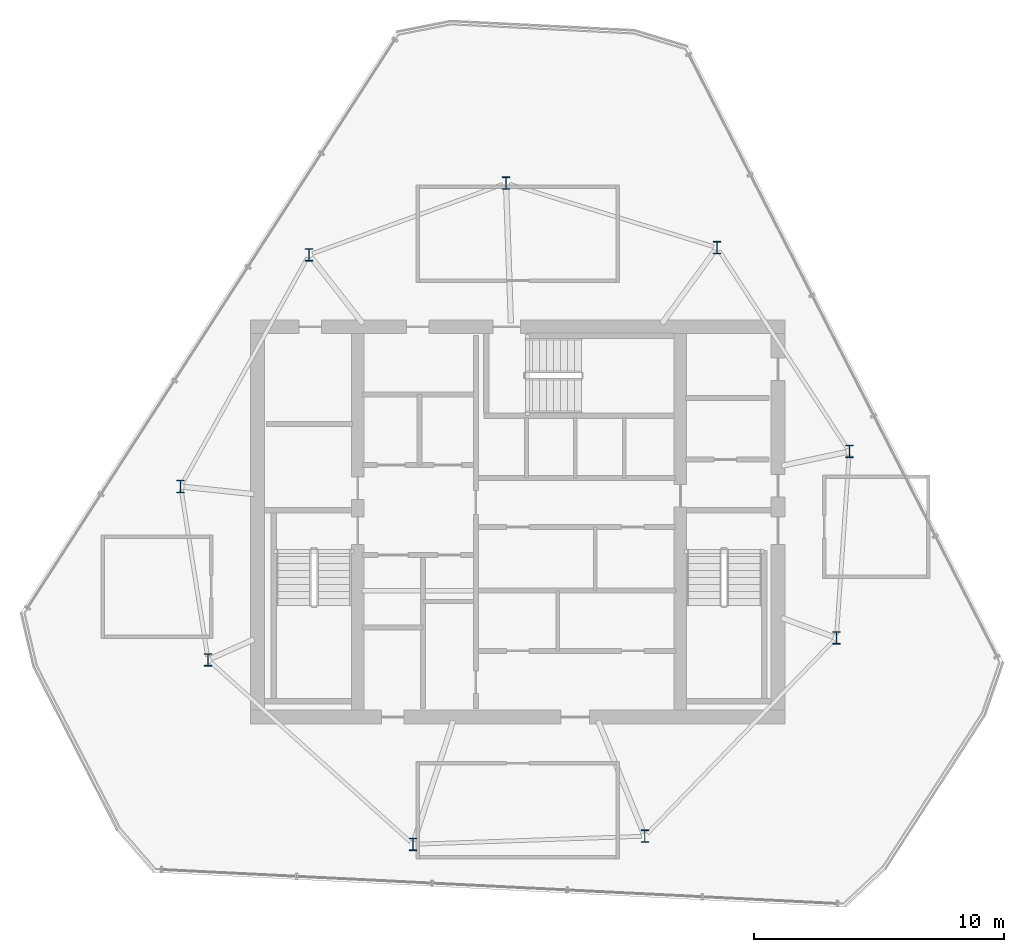
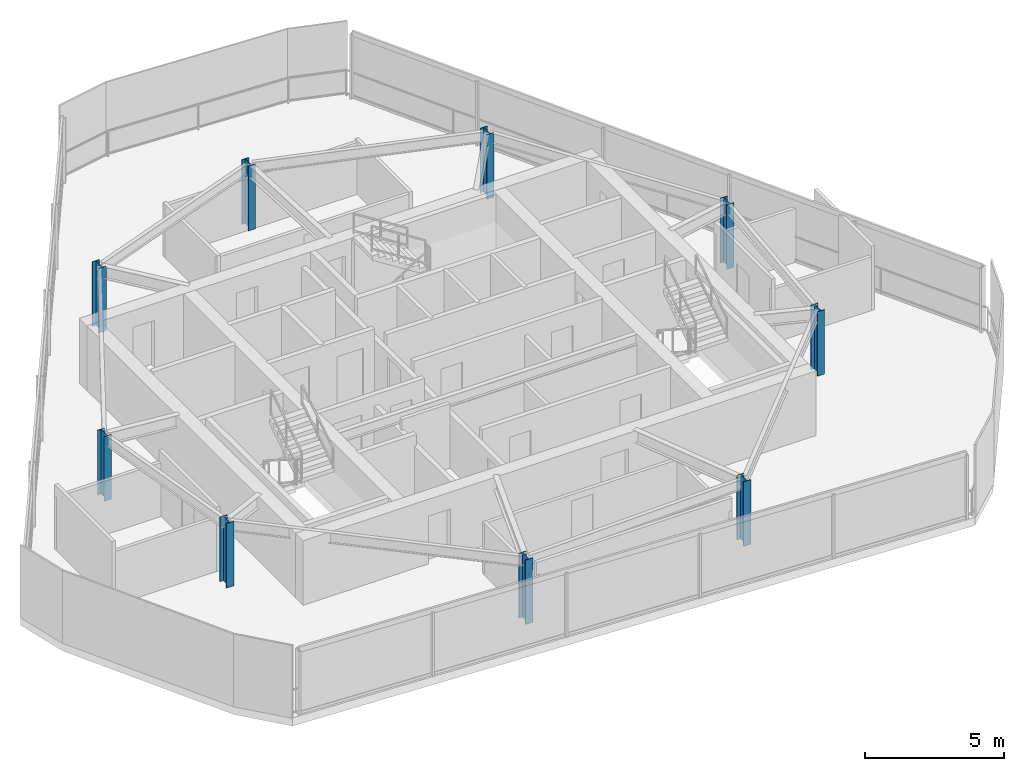
# One storey, part 1 of 16: 9 columns.
"""IFC4 building model written with IfcOpenShell, lengths in metres."""

from ifc_helpers import new_model, si_unit, direction, frame, origin, origin_2d, place, context, subcontext, project, spatial, i_section, extrude, material, material_profile, profile_set, type_object, element, save


model = new_model("IFC4")

# Units and contexts
model_context = context("Model", 3, precision=1e-05, world=origin(), true_north=direction((0.0, 1.0)))
body_context = subcontext(model_context, "Body", "Model", "MODEL_VIEW")
ifc_project = project(units=[si_unit("LENGTHUNIT", "METRE"), si_unit("AREAUNIT", "SQUARE_METRE"), si_unit("VOLUMEUNIT", "CUBIC_METRE"), si_unit("PLANEANGLEUNIT", "RADIAN"), si_unit("MASSUNIT", "GRAM", prefix="KILO")], contexts=[model_context])

# Site, building, storey
site_placement = place(None, origin())
site = spatial("IfcSite", under=ifc_project, at=site_placement, CompositionType="ELEMENT")
building_placement = place(site_placement, origin())
building = spatial("IfcBuilding", under=site, at=building_placement, Name="Qarnah Convention Tower", CompositionType="ELEMENT")
storey_placement = place(building_placement, frame((0.0, 0.0, 283.5)))
storey = spatial("IfcBuildingStorey", under=building, at=storey_placement, Name="L76", CompositionType="ELEMENT", Elevation=283.5)

# Columns
ifc_material = material(Name="Structural steel S355JR", Category="steel")
ifc_material_profile = material_profile(ifc_material, i_section(OverallWidth=0.300048828125, OverallDepth=0.5, WebThickness=0.014892578125, FlangeThickness=0.028076171875, at=origin_2d()), Name="HEB500")
ifc_profile_set = profile_set([ifc_material_profile], Name="Structural steel S355JR")
column_type = type_object("IfcColumnType", Name="COL-CRN-HEB500", PredefinedType="COLUMN", material=ifc_profile_set)
for number, where, z_axis, x_axis, name in (
    (1, (50.4541015625, 29.217041015625, 0.0), (0.0, 0.0, 1.0), (1.0, 0.0, 0.0), "L76 plumb column PC-CROWN-01"),
    (2, (45.1640625, 37.362060546875, 0.0), (0.0, 0.0, 1.0), (1.0, 0.0, 0.0), "L76 plumb column PC-CROWN-02"),
    (3, (36.72705078125, 39.94189453125, 0.0), (0.0, 0.0, 1.0), (1.0, 0.0, 0.0), "L76 plumb column PC-CROWN-03"),
    (4, (28.85791015625, 37.077880859375, 0.0), (0.0, 0.0, 1.0), (1.0, 0.0, 0.0), "L76 plumb column PC-CROWN-04"),
    (5, (23.72412109375, 27.81591796875, 0.0), (0.0, 0.0, 1.0), (1.0, 0.0, 0.0), "L76 plumb column PC-CROWN-05"),
    (6, (24.821044921875, 20.888916015625, 0.0), (0.0, 0.0, 1.0), (1.0, 0.0, 0.0), "L76 plumb column PC-CROWN-06"),
    (7, (33.012939453125, 13.512939453125, 0.0), (0.0, 0.0, 1.0), (1.0, 0.0, 0.0), "L76 plumb column PC-CROWN-07"),
    (8, (42.27587890625, 13.8369140625, 0.0), (0.0, 0.0, 1.0), (1.0, 0.0, 0.0), "L76 plumb column PC-CROWN-08"),
    (9, (49.93310546875, 21.76611328125, 0.0), (0.0, 0.0, 1.0), (1.0, 0.0, 0.0), "L76 plumb column PC-CROWN-09"),
):
    element("IfcColumn", number, at=place(storey_placement, frame(where, z_axis=z_axis, x_axis=x_axis)), inside=storey, type_object=column_type, Name=name, PredefinedType="COLUMN", context=body_context, shape_type="SweptSolid", body=[
        extrude(i_section(OverallWidth=0.300048828125, OverallDepth=0.5, WebThickness=0.014892578125, FlangeThickness=0.028076171875, at=origin_2d()), origin(), (0.0, 0.0, 1.0), 2.840087890625),
    ])

save(model, "model.ifc")
